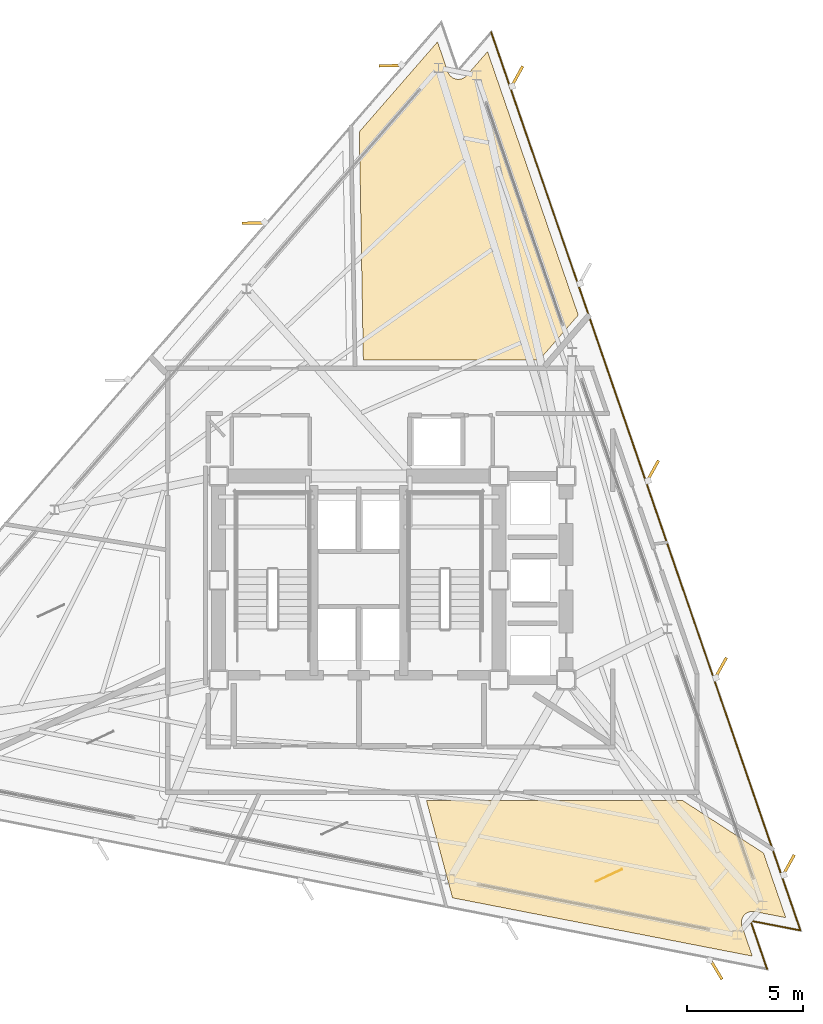
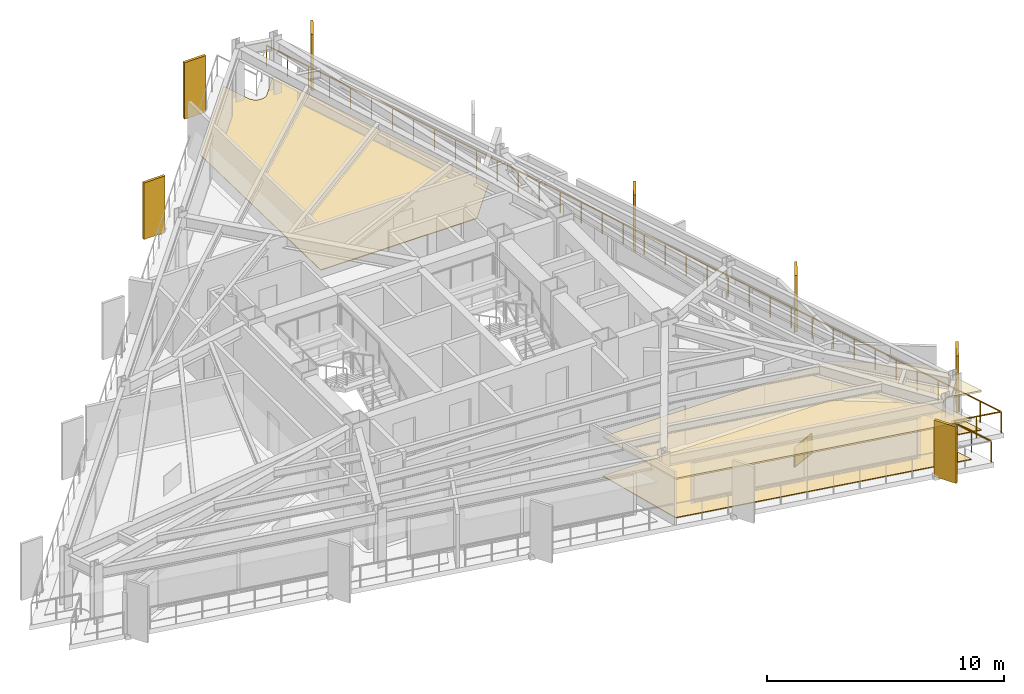
# One storey, part 13 of 13: 7 shading devices, 4 coverings, 1 railing.
"""IFC4 building model written with IfcOpenShell, lengths in metres."""

from ifc_helpers import new_model, si_unit, direction, frame, origin, origin_2d, place, context, subcontext, project, spatial, polyline, rectangle, outline, extrude, material, layer, layer_set, type_object, element, save


model = new_model("IFC4")

# Units and contexts
model_context = context("Model", 3, precision=1e-05, world=origin(), true_north=direction((0.0, 1.0)))
body_context = subcontext(model_context, "Body", "Model", "MODEL_VIEW")
ifc_project = project(units=[si_unit("LENGTHUNIT", "METRE"), si_unit("AREAUNIT", "SQUARE_METRE"), si_unit("VOLUMEUNIT", "CUBIC_METRE"), si_unit("PLANEANGLEUNIT", "RADIAN"), si_unit("MASSUNIT", "GRAM", prefix="KILO")], contexts=[model_context])

# Site, building, storey
site_placement = place(None, origin())
site = spatial("IfcSite", under=ifc_project, at=site_placement, CompositionType="ELEMENT")
building_placement = place(site_placement, origin())
building = spatial("IfcBuilding", under=site, at=building_placement, Name="Rocaltana Carrier Exchange", CompositionType="ELEMENT")
storey_placement = place(building_placement, frame((0.0, 0.0, 156.320068359375)))
storey = spatial("IfcBuildingStorey", under=building, at=storey_placement, Name="L49", CompositionType="ELEMENT", Elevation=156.320068359375)

# Coverings
ifc_material_1 = material(Name="Honed Bogota Sandstone Tile", Category="masonry")
ifc_layer_1 = layer(ifc_material_1, 0.0400390625)
ifc_layer_set_1 = layer_set([ifc_layer_1], Name="Honed Bogota Sandstone Tile")
covering_type_1 = type_object("IfcCoveringType", Name="Honed Stone Lobby Flooring 40", PredefinedType="FLOORING", material=ifc_layer_set_1)
covering_1_placement = place(storey_placement, origin())
element("IfcCovering", 1, at=covering_1_placement, inside=storey, type_object=covering_type_1, Name="L49 Optical Switching Laboratory Finish Floor", PredefinedType="FLOORING", context=body_context, shape_type="SweptSolid", body=[
    extrude(outline(polyline([(18.4287109375, -14.562255859375), (17.085205078125, -14.301025390625), (17.0712890625, -14.298828125), (17.051513671875, -14.2958984375), (17.023681640625, -14.29345703125), (17.00390625, -14.29248046875), (16.975830078125, -14.292724609375), (16.9560546875, -14.2939453125), (16.92822265625, -14.296875), (16.90869140625, -14.300048828125), (16.88134765625, -14.305908203125), (16.862060546875, -14.310791015625), (16.83544921875, -14.319091796875), (16.816650390625, -14.326171875), (16.791015625, -14.337158203125), (16.773193359375, -14.345947265625), (16.748779296875, -14.359619140625), (16.731689453125, -14.3701171875), (16.708984375, -14.385986328125), (16.693115234375, -14.398193359375), (16.671875, -14.416259765625), (16.6572265625, -14.429931640625), (16.637939453125, -14.449951171875), (16.625, -14.465087890625), (16.607666015625, -14.487060546875), (16.59619140625, -14.50341796875), (16.581298828125, -14.52685546875), (16.5712890625, -14.544189453125), (16.558837890625, -14.569091796875), (16.55078125, -14.58740234375), (16.540771484375, -14.613525390625), (16.534423828125, -14.63232421875), (16.527099609375, -14.6591796875), (16.522705078125, -14.6787109375), (16.518310546875, -14.706298828125), (16.515869140625, -14.72607421875), (16.513916015625, -14.75390625), (16.513671875, -14.77392578125), (16.5146484375, -14.8017578125), (16.51611328125, -14.82177734375), (16.52001953125, -14.849365234375), (16.5234375, -14.868896484375), (16.52978515625, -14.89599609375), (16.535400390625, -14.915283203125), (16.539794921875, -14.9287109375), (16.9853515625, -16.22265625), (4.045654296875, -13.70751953125), (2.9208984375, -9.510009765625), (13.983154296875, -9.510009765625), (17.46826171875, -11.773193359375), (18.4287109375, -14.562255859375)])), origin(), (0.0, 0.0, 1.0), 0.0400390625),
])
covering_2_placement = place(storey_placement, origin())
element("IfcCovering", 2, at=covering_2_placement, inside=storey, type_object=covering_type_1, Name="L49 Incident Briefing Room Finish Floor", PredefinedType="FLOORING", context=body_context, shape_type="SweptSolid", body=[
    extrude(outline(polyline([(3.39697265625, 23.24072265625), (3.842529296875, 21.94677734375), (3.847412109375, 21.93359375), (3.85498046875, 21.9150390625), (3.866455078125, 21.889892578125), (3.875732421875, 21.8720703125), (3.889892578125, 21.847900390625), (3.90087890625, 21.831298828125), (3.917236328125, 21.808837890625), (3.9296875, 21.793212890625), (3.948486328125, 21.7724609375), (3.96240234375, 21.75830078125), (3.983154296875, 21.739501953125), (3.99853515625, 21.726806640625), (4.020751953125, 21.710205078125), (4.037353515625, 21.698974609375), (4.061279296875, 21.684814453125), (4.078857421875, 21.67529296875), (4.104248046875, 21.663330078125), (4.12255859375, 21.65576171875), (4.14892578125, 21.646484375), (4.16796875, 21.640625), (4.195068359375, 21.634033203125), (4.214599609375, 21.630126953125), (4.2421875, 21.626220703125), (4.26220703125, 21.62451171875), (4.2900390625, 21.623291015625), (4.31005859375, 21.623291015625), (4.337890625, 21.625), (4.357666015625, 21.627197265625), (4.38525390625, 21.63134765625), (4.40478515625, 21.635498046875), (4.431640625, 21.642578125), (4.45068359375, 21.648681640625), (4.476806640625, 21.658447265625), (4.4951171875, 21.666259765625), (4.520263671875, 21.6787109375), (4.53759765625, 21.688232421875), (4.561279296875, 21.702880859375), (4.577880859375, 21.71435546875), (4.599853515625, 21.731201171875), (4.614990234375, 21.744384765625), (4.635498046875, 21.763427734375), (4.649169921875, 21.77783203125), (4.65869140625, 21.7880859375), (5.556396484375, 22.82080078125), (9.47314453125, 11.4462890625), (7.789794921875, 9.510009765625), (0.194091796875, 9.510009765625), (0.022216796875, 19.3583984375), (3.39697265625, 23.24072265625)])), origin(), (0.0, 0.0, 1.0), 0.0400390625),
])
ifc_material_2 = material(Name="Anodised Aluminium 6063-T6", Category="aluminium")
ifc_layer_2 = layer(ifc_material_2, 0.0849609375)
ifc_layer_set_2 = layer_set([ifc_layer_2], Name="Anodised Aluminium 6063-T6")
covering_type_2 = type_object("IfcCoveringType", Name="Linear Baffle Acoustic Ceiling 85", PredefinedType="CEILING", material=ifc_layer_set_2)
covering_3_placement = place(storey_placement, frame((0.0, 0.0, 1.972900390625)))
element("IfcCovering", 3, at=covering_3_placement, inside=storey, type_object=covering_type_2, Name="L49 Optical Switching Laboratory Acoustic Ceiling", PredefinedType="CEILING", context=body_context, shape_type="SweptSolid", body=[
    extrude(outline(polyline([(18.4287109375, -14.562255859375), (17.085205078125, -14.301025390625), (17.0712890625, -14.298828125), (17.051513671875, -14.2958984375), (17.023681640625, -14.29345703125), (17.00390625, -14.29248046875), (16.975830078125, -14.292724609375), (16.9560546875, -14.2939453125), (16.92822265625, -14.296875), (16.90869140625, -14.300048828125), (16.88134765625, -14.305908203125), (16.862060546875, -14.310791015625), (16.83544921875, -14.319091796875), (16.816650390625, -14.326171875), (16.791015625, -14.337158203125), (16.773193359375, -14.345947265625), (16.748779296875, -14.359619140625), (16.731689453125, -14.3701171875), (16.708984375, -14.385986328125), (16.693115234375, -14.398193359375), (16.671875, -14.416259765625), (16.6572265625, -14.429931640625), (16.637939453125, -14.449951171875), (16.625, -14.465087890625), (16.607666015625, -14.487060546875), (16.59619140625, -14.50341796875), (16.581298828125, -14.52685546875), (16.5712890625, -14.544189453125), (16.558837890625, -14.569091796875), (16.55078125, -14.58740234375), (16.540771484375, -14.613525390625), (16.534423828125, -14.63232421875), (16.527099609375, -14.6591796875), (16.522705078125, -14.6787109375), (16.518310546875, -14.706298828125), (16.515869140625, -14.72607421875), (16.513916015625, -14.75390625), (16.513671875, -14.77392578125), (16.5146484375, -14.8017578125), (16.51611328125, -14.82177734375), (16.52001953125, -14.849365234375), (16.5234375, -14.868896484375), (16.52978515625, -14.89599609375), (16.535400390625, -14.915283203125), (16.539794921875, -14.9287109375), (16.9853515625, -16.22265625), (4.045654296875, -13.70751953125), (2.9208984375, -9.510009765625), (13.983154296875, -9.510009765625), (17.46826171875, -11.773193359375), (18.4287109375, -14.562255859375)])), origin(), (0.0, 0.0, 1.0), 0.0849609375),
])
ifc_material_3 = material(Name="Honed Piedra Muneca Sandstone", Category="masonry")
ifc_layer_3 = layer(ifc_material_3, 0.034912109375)
ifc_layer_set_3 = layer_set([ifc_layer_3], Name="Honed Piedra Muneca Sandstone")
covering_type_3 = type_object("IfcCoveringType", Name="Stone Facade Cladding 35", PredefinedType="CLADDING", material=ifc_layer_set_3)
covering_4_placement = place(storey_placement, frame((10.7939453125, -12.740234375, 0.0), z_axis=(0.0, 0.0, 1.0), x_axis=(0.906307787037, 0.422618261741, 0.0)))
element("IfcCovering", 4, at=covering_4_placement, inside=storey, type_object=covering_type_3, Name="L49 Stone Facade Cladding Panel 4", PredefinedType="CLADDING", context=body_context, shape_type="SweptSolid", body=[
    extrude(rectangle(XDim=1.25, YDim=0.034912109375, at=origin_2d()), origin(), (0.0, 0.0, 1.0), 1.050048828125),
])

# Shading devices
ifc_material_4 = material(Name="Honed Bogota Sandstone & Concrete C45/55", Category="masonry")
ifc_layer_4 = layer(ifc_material_4, 0.1201171875)
ifc_layer_set_4 = layer_set([ifc_layer_4], Name="Honed Bogota Sandstone & Concrete C45/55")
shading_device_type = type_object("IfcShadingDeviceType", Name="Upper Sandstone Shading Fin 1050x120", PredefinedType="USERDEFINED", material=ifc_layer_set_4)
for number, where, z_axis, x_axis, name in (
    (5, (18.541748046875, -12.3095703125, -0.1201171875), (0.0, 0.0, 1.0), (0.484809620246, 0.874619707139, 0.0), "L49 Sandstone Vertical Fin F1-01"),
    (6, (15.61181640625, -3.7998046875, -0.1201171875), (0.0, 0.0, 1.0), (0.484809620246, 0.874619707139, 0.0), "L49 Sandstone Vertical Fin F1-02"),
    (7, (12.681396484375, 4.709716796875, -0.1201171875), (0.0, 0.0, 1.0), (0.484809620246, 0.874619707139, 0.0), "L49 Sandstone Vertical Fin F1-03"),
    (8, (6.8212890625, 21.729248046875, -0.1201171875), (0.0, 0.0, 1.0), (0.484809620246, 0.874619707139, 0.0), "L49 Sandstone Vertical Fin F1-05"),
    (9, (1.389404296875, 22.21240234375, -0.1201171875), (0.0, 0.0, 1.0), (-0.999847695156, -0.017452406437, 0.0), "L49 Sandstone Vertical Fin F2-01"),
    (10, (-4.51513671875, 15.419921875, -0.1201171875), (0.0, 0.0, 1.0), (-0.999847695156, -0.017452406437, 0.0), "L49 Sandstone Vertical Fin F2-02"),
    (11, (15.407470703125, -16.77197265625, -0.1201171875), (0.0, 0.0, 1.0), (0.51503807491, -0.857167300702, 0.0), "L49 Sandstone Vertical Fin F3-05"),
):
    element("IfcShadingDevice", number, at=place(storey_placement, frame(where, z_axis=z_axis, x_axis=x_axis)), inside=storey, type_object=shading_device_type, Name=name, ObjectType="FIN", PredefinedType="USERDEFINED", context=body_context, shape_type="SweptSolid", body=[
        extrude(rectangle(XDim=1.050048828125, YDim=0.1201171875, at=origin_2d()), origin(), (0.0, 0.0, 1.0), 2.907958984375),
    ])

# Railing
ifc_material_5 = material(Name="Powder-Coated Aluminium 6063-T6", Category="aluminium")
ifc_layer_5 = layer(ifc_material_5, 0.06005859375)
ifc_layer_set_5 = layer_set([ifc_layer_5], Name="Powder-Coated Aluminium 6063-T6")
railing_type = type_object("IfcRailingType", Name="Wind-Floor & Terrace Perimeter Guardrail 1100", PredefinedType="GUARDRAIL", material=ifc_layer_set_5)
railing_placement = place(storey_placement, frame((5.716796875, 23.6455078125, 0.0)))
element("IfcRailing", 12, at=railing_placement, inside=storey, type_object=railing_type, Name="L49 Perimeter Balcony Guardrail 3", PredefinedType="GUARDRAIL", context=body_context, shape_type="SweptSolid", body=[
    extrude(rectangle(XDim=0.048095703125, YDim=0.048095703125, at=origin_2d()), frame((0.0, 0.0, 1.076171875), z_axis=(0.325567757379, -0.945518712324, 0.0), x_axis=(0.945518712324, 0.325567757379, 0.0)), (0.0, 0.0, 1.0), 40.9921875),
    extrude(rectangle(XDim=0.048095703125, YDim=0.048095703125, at=origin_2d()), frame((13.345703125, -38.7587890625, 1.076171875), z_axis=(-0.981637329589, 0.190756790591, 0.0), x_axis=(-0.190756790591, -0.981637329589, 0.0)), (0.0, 0.0, 1.0), 2.199951171875),
    extrude(rectangle(XDim=0.048095703125, YDim=0.048095703125, at=origin_2d()), frame((11.18603515625, -38.339111328125, 1.076171875), z_axis=(0.325600768791, -0.945507344955, 0.0), x_axis=(0.945507344955, 0.325600768791, 0.0)), (0.0, 0.0, 1.0), 2.199951171875),
    extrude(rectangle(XDim=0.0419921875, YDim=0.0419921875, at=origin_2d()), origin(), (0.0, 0.0, 1.0), 1.052001953125),
    extrude(rectangle(XDim=0.0419921875, YDim=0.0419921875, at=origin_2d()), frame((0.38134765625, -1.107421875, 0.0)), (0.0, 0.0, 1.0), 1.052001953125),
    extrude(rectangle(XDim=0.0419921875, YDim=0.0419921875, at=origin_2d()), frame((0.7626953125, -2.21484375, 0.0)), (0.0, 0.0, 1.0), 1.052001953125),
    extrude(rectangle(XDim=0.0419921875, YDim=0.0419921875, at=origin_2d()), frame((1.143798828125, -3.322265625, 0.0)), (0.0, 0.0, 1.0), 1.052001953125),
    extrude(rectangle(XDim=0.0419921875, YDim=0.0419921875, at=origin_2d()), frame((1.525146484375, -4.4296875, 0.0)), (0.0, 0.0, 1.0), 1.052001953125),
    extrude(rectangle(XDim=0.0419921875, YDim=0.0419921875, at=origin_2d()), frame((1.906494140625, -5.536865234375, 0.0)), (0.0, 0.0, 1.0), 1.052001953125),
    extrude(rectangle(XDim=0.0419921875, YDim=0.0419921875, at=origin_2d()), frame((2.287841796875, -6.644287109375, 0.0)), (0.0, 0.0, 1.0), 1.052001953125),
    extrude(rectangle(XDim=0.0419921875, YDim=0.0419921875, at=origin_2d()), frame((2.669189453125, -7.751708984375, 0.0)), (0.0, 0.0, 1.0), 1.052001953125),
    extrude(rectangle(XDim=0.0419921875, YDim=0.0419921875, at=origin_2d()), frame((3.050537109375, -8.859130859375, 0.0)), (0.0, 0.0, 1.0), 1.052001953125),
    extrude(rectangle(XDim=0.0419921875, YDim=0.0419921875, at=origin_2d()), frame((3.431640625, -9.966552734375, 0.0)), (0.0, 0.0, 1.0), 1.052001953125),
    extrude(rectangle(XDim=0.0419921875, YDim=0.0419921875, at=origin_2d()), frame((3.81298828125, -11.073974609375, 0.0)), (0.0, 0.0, 1.0), 1.052001953125),
    extrude(rectangle(XDim=0.0419921875, YDim=0.0419921875, at=origin_2d()), frame((4.1943359375, -12.181396484375, 0.0)), (0.0, 0.0, 1.0), 1.052001953125),
    extrude(rectangle(XDim=0.0419921875, YDim=0.0419921875, at=origin_2d()), frame((4.57568359375, -13.288818359375, 0.0)), (0.0, 0.0, 1.0), 1.052001953125),
    extrude(rectangle(XDim=0.0419921875, YDim=0.0419921875, at=origin_2d()), frame((4.95703125, -14.396240234375, 0.0)), (0.0, 0.0, 1.0), 1.052001953125),
    extrude(rectangle(XDim=0.0419921875, YDim=0.0419921875, at=origin_2d()), frame((5.33837890625, -15.50341796875, 0.0)), (0.0, 0.0, 1.0), 1.052001953125),
    extrude(rectangle(XDim=0.0419921875, YDim=0.0419921875, at=origin_2d()), frame((5.719482421875, -16.61083984375, 0.0)), (0.0, 0.0, 1.0), 1.052001953125),
    extrude(rectangle(XDim=0.0419921875, YDim=0.0419921875, at=origin_2d()), frame((6.100830078125, -17.71826171875, 0.0)), (0.0, 0.0, 1.0), 1.052001953125),
    extrude(rectangle(XDim=0.0419921875, YDim=0.0419921875, at=origin_2d()), frame((6.482177734375, -18.82568359375, 0.0)), (0.0, 0.0, 1.0), 1.052001953125),
    extrude(rectangle(XDim=0.0419921875, YDim=0.0419921875, at=origin_2d()), frame((6.863525390625, -19.93310546875, 0.0)), (0.0, 0.0, 1.0), 1.052001953125),
    extrude(rectangle(XDim=0.0419921875, YDim=0.0419921875, at=origin_2d()), frame((7.244873046875, -21.04052734375, 0.0)), (0.0, 0.0, 1.0), 1.052001953125),
    extrude(rectangle(XDim=0.0419921875, YDim=0.0419921875, at=origin_2d()), frame((7.626220703125, -22.14794921875, 0.0)), (0.0, 0.0, 1.0), 1.052001953125),
    extrude(rectangle(XDim=0.0419921875, YDim=0.0419921875, at=origin_2d()), frame((8.00732421875, -23.25537109375, 0.0)), (0.0, 0.0, 1.0), 1.052001953125),
    extrude(rectangle(XDim=0.0419921875, YDim=0.0419921875, at=origin_2d()), frame((8.388671875, -24.362548828125, 0.0)), (0.0, 0.0, 1.0), 1.052001953125),
    extrude(rectangle(XDim=0.0419921875, YDim=0.0419921875, at=origin_2d()), frame((8.77001953125, -25.469970703125, 0.0)), (0.0, 0.0, 1.0), 1.052001953125),
    extrude(rectangle(XDim=0.0419921875, YDim=0.0419921875, at=origin_2d()), frame((9.1513671875, -26.577392578125, 0.0)), (0.0, 0.0, 1.0), 1.052001953125),
    extrude(rectangle(XDim=0.0419921875, YDim=0.0419921875, at=origin_2d()), frame((9.53271484375, -27.684814453125, 0.0)), (0.0, 0.0, 1.0), 1.052001953125),
    extrude(rectangle(XDim=0.0419921875, YDim=0.0419921875, at=origin_2d()), frame((9.9140625, -28.792236328125, 0.0)), (0.0, 0.0, 1.0), 1.052001953125),
    extrude(rectangle(XDim=0.0419921875, YDim=0.0419921875, at=origin_2d()), frame((10.295166015625, -29.899658203125, 0.0)), (0.0, 0.0, 1.0), 1.052001953125),
    extrude(rectangle(XDim=0.0419921875, YDim=0.0419921875, at=origin_2d()), frame((10.676513671875, -31.007080078125, 0.0)), (0.0, 0.0, 1.0), 1.052001953125),
    extrude(rectangle(XDim=0.0419921875, YDim=0.0419921875, at=origin_2d()), frame((11.057861328125, -32.114501953125, 0.0)), (0.0, 0.0, 1.0), 1.052001953125),
    extrude(rectangle(XDim=0.0419921875, YDim=0.0419921875, at=origin_2d()), frame((11.439208984375, -33.221923828125, 0.0)), (0.0, 0.0, 1.0), 1.052001953125),
    extrude(rectangle(XDim=0.0419921875, YDim=0.0419921875, at=origin_2d()), frame((11.820556640625, -34.3291015625, 0.0)), (0.0, 0.0, 1.0), 1.052001953125),
    extrude(rectangle(XDim=0.0419921875, YDim=0.0419921875, at=origin_2d()), frame((12.201904296875, -35.4365234375, 0.0)), (0.0, 0.0, 1.0), 1.052001953125),
    extrude(rectangle(XDim=0.0419921875, YDim=0.0419921875, at=origin_2d()), frame((12.5830078125, -36.5439453125, 0.0)), (0.0, 0.0, 1.0), 1.052001953125),
    extrude(rectangle(XDim=0.0419921875, YDim=0.0419921875, at=origin_2d()), frame((12.96435546875, -37.6513671875, 0.0)), (0.0, 0.0, 1.0), 1.052001953125),
    extrude(rectangle(XDim=0.0419921875, YDim=0.0419921875, at=origin_2d()), frame((13.345703125, -38.7587890625, 0.0)), (0.0, 0.0, 1.0), 1.052001953125),
    extrude(rectangle(XDim=0.0419921875, YDim=0.0419921875, at=origin_2d()), frame((12.265869140625, -38.548828125, 0.0)), (0.0, 0.0, 1.0), 1.052001953125),
    extrude(rectangle(XDim=0.0419921875, YDim=0.0419921875, at=origin_2d()), frame((11.18603515625, -38.339111328125, 0.0)), (0.0, 0.0, 1.0), 1.052001953125),
    extrude(rectangle(XDim=0.0419921875, YDim=0.0419921875, at=origin_2d()), frame((11.544189453125, -39.379150390625, 0.0)), (0.0, 0.0, 1.0), 1.052001953125),
    extrude(rectangle(XDim=0.0419921875, YDim=0.0419921875, at=origin_2d()), frame((11.90234375, -40.419189453125, 0.0)), (0.0, 0.0, 1.0), 1.052001953125),
])

save(model, "model.ifc")
